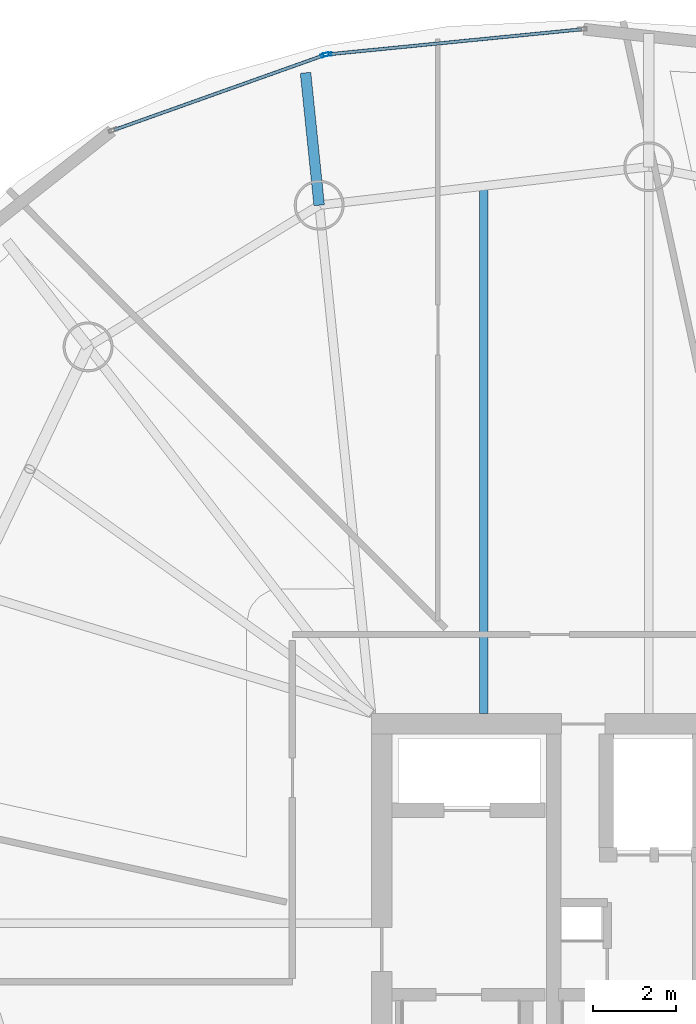
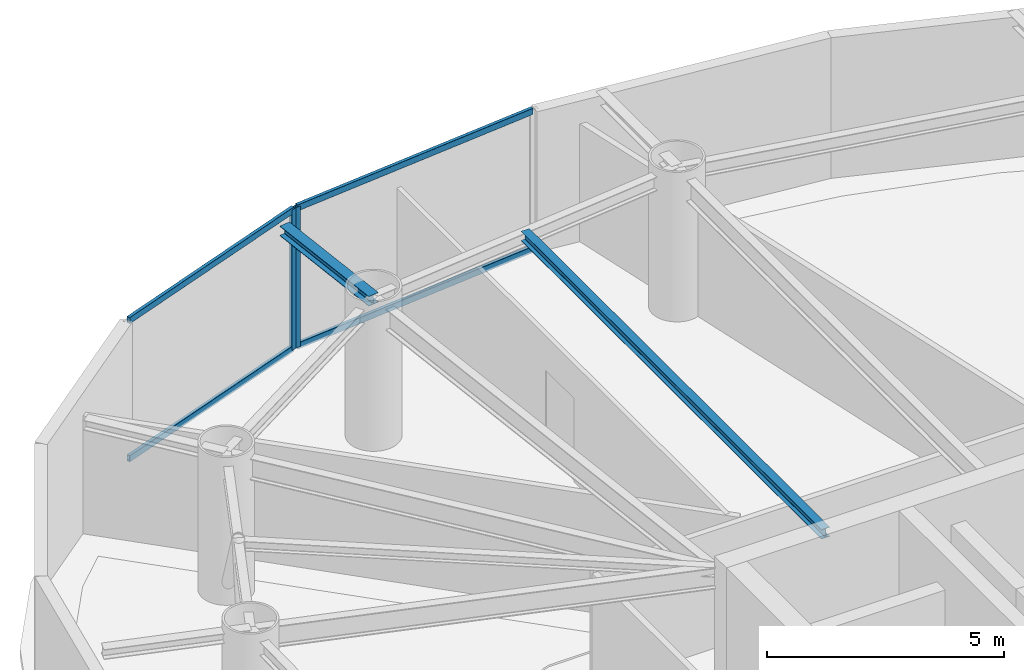
# One storey, part 12 of 23: 6 members, 2 beams, 2 elements without a shape of their own.
"""IFC4 building model written with IfcOpenShell, lengths in metres."""

from ifc_helpers import new_model, si_unit, direction, frame, origin, origin_2d, place, context, subcontext, project, spatial, hollow_rectangle, i_section, extrude, material, layer, layer_set, material_profile, profile_set, type_object, element, aggregate, save


model = new_model("IFC4")

# Units and contexts
model_context = context("Model", 3, precision=1e-05, world=origin(), true_north=direction((0.0, 1.0)))
body_context = subcontext(model_context, "Body", "Model", "MODEL_VIEW")
ifc_project = project(units=[si_unit("LENGTHUNIT", "METRE"), si_unit("AREAUNIT", "SQUARE_METRE"), si_unit("VOLUMEUNIT", "CUBIC_METRE"), si_unit("PLANEANGLEUNIT", "RADIAN"), si_unit("MASSUNIT", "GRAM", prefix="KILO")], contexts=[model_context])

# Site, building, storey
site_placement = place(None, origin())
site = spatial("IfcSite", under=ifc_project, at=site_placement, CompositionType="ELEMENT")
building_placement = place(site_placement, origin())
building = spatial("IfcBuilding", under=site, at=building_placement, Name="Bramvorn Convention Spire", CompositionType="ELEMENT")
storey_placement = place(building_placement, frame((0.0, 0.0, 194.300048828125)))
storey = spatial("IfcBuildingStorey", under=building, at=storey_placement, Name="L49", CompositionType="ELEMENT", Elevation=194.300048828125)

# Beams
ifc_material_1 = material(Name="Steel CSA G40.21 Grade 350 (350W)", Category="steel")
ifc_material_profile_1 = material_profile(ifc_material_1, i_section(OverallWidth=0.201904296875, OverallDepth=0.2470703125, WebThickness=0.00732421875, FlangeThickness=0.010986328125, FilletRadius=0.011962890625, at=origin_2d()))
ifc_profile_set_1 = profile_set([ifc_material_profile_1], Name="Steel CSA G40.21 Grade 350 (350W) - W250X49")
beam_type_1 = type_object("IfcBeamType", Name="BM-W250X49", PredefinedType="JOIST", material=ifc_profile_set_1)
beam_1_placement = place(storey_placement, frame((29.455810546875, 33.449951171875, 3.496337890625), z_axis=(0.0, 1.0, 0.0), x_axis=(-1.0, 0.0, 0.0)))
element("IfcBeam", 1, at=beam_1_placement, inside=storey, type_object=beam_type_1, Name="L49 composite floor joist 07", PredefinedType="JOIST", context=body_context, shape_type="SweptSolid", body=[
    extrude(i_section(OverallWidth=0.201904296875, OverallDepth=0.2470703125, WebThickness=0.00732421875, FlangeThickness=0.010986328125, FilletRadius=0.011962890625, at=origin_2d()), origin(), (0.0, 0.0, 1.0), 12.676025390625),
])
ifc_material_profile_2 = material_profile(ifc_material_1, i_section(OverallWidth=0.25390625, OverallDepth=0.2529296875, WebThickness=0.008544921875, FlangeThickness=0.01416015625, FilletRadius=0.011962890625, at=origin_2d()))
ifc_profile_set_2 = profile_set([ifc_material_profile_2], Name="Steel CSA G40.21 Grade 350 (350W) - W250X73")
beam_type_2 = type_object("IfcBeamType", Name="BM-W250X73", PredefinedType="BEAM", material=ifc_profile_set_2)
beam_2_placement = place(storey_placement, frame((25.49560546875, 45.663818359375, 3.493408203125), z_axis=(-0.10223018875, 0.994760769486, 0.0), x_axis=(-0.994760769486, -0.10223018875, 0.0)))
element("IfcBeam", 2, at=beam_2_placement, inside=storey, type_object=beam_type_2, Name="L49 slab-edge cantilever tip beam MC08", PredefinedType="BEAM", context=body_context, shape_type="SweptSolid", body=[
    extrude(i_section(OverallWidth=0.25390625, OverallDepth=0.2529296875, WebThickness=0.008544921875, FlangeThickness=0.01416015625, FilletRadius=0.011962890625, at=origin_2d()), origin(), (0.0, 0.0, 1.0), 3.2001953125),
])

# Curtain wall, member
ifc_material_2 = material(Name="Anodised Bronze Unitised Curtain Wall", Category="aluminium")
ifc_layer = layer(ifc_material_2, 0.179931640625)
ifc_layer_set = layer_set([ifc_layer], Name="Anodised Bronze Unitised Curtain Wall - CW-OFF-FRIT")
curtain_wall_type = type_object("IfcCurtainWallType", Name="CW-OFF-FRIT", PredefinedType="USERDEFINED", material=ifc_layer_set)
curtain_wall_1_placement = place(storey_placement, origin())
curtain_wall_1 = element("IfcCurtainWall", 3, at=curtain_wall_1_placement, inside=storey, type_object=curtain_wall_type, Name="L49 fritted glass curtain wall 10", ObjectType="UNITISED CURTAIN WALL", PredefinedType="USERDEFINED")
ifc_material_3 = material(Name="Anodised Bronze Aluminium 6063-T6", Category="aluminium")
ifc_material_profile_3 = material_profile(ifc_material_3, hollow_rectangle(XDim=0.080078125, YDim=0.199951171875, WallThickness=0.00390625, InnerFilletRadius=0.0009765625, OuterFilletRadius=0.00390625, at=origin_2d()))
ifc_profile_set_3 = profile_set([ifc_material_profile_3], Name="Anodised Bronze Aluminium 6063-T6 - CWM80X200")
member_type_1 = type_object("IfcMemberType", Name="CW-MUL-180", PredefinedType="MULLION", material=ifc_profile_set_3)
member_1_placement = place(storey_placement, frame((25.689453125, 49.288818359375, 0.0), z_axis=(0.0, 0.0, 1.0), x_axis=(-0.098099490805, 0.995176612418, 0.0)))
member_1 = element("IfcMember", 4, at=member_1_placement, type_object=member_type_1, Name="CW3 mullion 1", PredefinedType="MULLION", context=body_context, shape_type="SweptSolid", body=[
    extrude(hollow_rectangle(XDim=0.080078125, YDim=0.199951171875, WallThickness=0.00390625, InnerFilletRadius=0.0009765625, OuterFilletRadius=0.00390625, at=origin_2d()), origin(), (0.0, 0.0, 1.0), 3.619873046875),
])

curtain_wall_2_placement = place(storey_placement, origin())
curtain_wall_2 = element("IfcCurtainWall", 5, at=curtain_wall_2_placement, inside=storey, type_object=curtain_wall_type, Name="L49 fritted glass curtain wall 11", ObjectType="UNITISED CURTAIN WALL", PredefinedType="USERDEFINED")
member_2_placement = place(storey_placement, frame((25.63134765625, 49.275634765625, 0.0), z_axis=(0.0, 0.0, 1.0), x_axis=(-0.335377520257, 0.942083817347, 0.0)))
member_2 = element("IfcMember", 6, at=member_2_placement, type_object=member_type_1, Name="CW3 mullion 2", PredefinedType="MULLION", context=body_context, shape_type="SweptSolid", body=[
    extrude(hollow_rectangle(XDim=0.080078125, YDim=0.199951171875, WallThickness=0.00390625, InnerFilletRadius=0.0009765625, OuterFilletRadius=0.00390625, at=origin_2d()), origin(), (0.0, 0.0, 1.0), 3.619873046875),
])

# Member
ifc_material_profile_4 = material_profile(ifc_material_3, hollow_rectangle(XDim=0.080078125, YDim=0.159912109375, WallThickness=0.00390625, InnerFilletRadius=0.0009765625, OuterFilletRadius=0.00390625, at=origin_2d()))
ifc_profile_set_4 = profile_set([ifc_material_profile_4], Name="Anodised Bronze Aluminium 6063-T6 - CWT80X160")
member_type_2 = type_object("IfcMemberType", Name="CW-TRN-150", PredefinedType="USERDEFINED", material=ifc_profile_set_4)
member_3_placement = place(storey_placement, frame((25.719482421875, 49.291748046875, 0.030029296875), z_axis=(0.995179068146, 0.098074575315, 0.0), x_axis=(-0.098074575315, 0.995179068146, 0.0)))
member_3 = element("IfcMember", 7, at=member_3_placement, type_object=member_type_2, Name="CW3 transom 1.1", ObjectType="TRANSOM", PredefinedType="USERDEFINED", context=body_context, shape_type="SweptSolid", body=[
    extrude(hollow_rectangle(XDim=0.080078125, YDim=0.159912109375, WallThickness=0.00390625, InnerFilletRadius=0.0009765625, OuterFilletRadius=0.00390625, at=origin_2d()), origin(), (0.0, 0.0, 1.0), 6.1064453125),
])

member_4_placement = place(storey_placement, frame((25.719482421875, 49.291748046875, 3.58984375), z_axis=(0.995179068146, 0.098074575315, 0.0), x_axis=(-0.098074575315, 0.995179068146, 0.0)))
member_4 = element("IfcMember", 8, at=member_4_placement, type_object=member_type_2, Name="CW3 transom 1.2", ObjectType="TRANSOM", PredefinedType="USERDEFINED", context=body_context, shape_type="SweptSolid", body=[
    extrude(hollow_rectangle(XDim=0.080078125, YDim=0.159912109375, WallThickness=0.00390625, InnerFilletRadius=0.0009765625, OuterFilletRadius=0.00390625, at=origin_2d()), origin(), (0.0, 0.0, 1.0), 6.1064453125),
])

aggregate(curtain_wall_1, [member_1, member_3, member_4])

member_5_placement = place(storey_placement, frame((20.568115234375, 47.47314453125, 0.030029296875), z_axis=(0.942084531103, 0.335375515291, 0.0), x_axis=(-0.335375515291, 0.942084531103, 0.0)))
member_5 = element("IfcMember", 9, at=member_5_placement, type_object=member_type_2, Name="CW3 transom 1.1", ObjectType="TRANSOM", PredefinedType="USERDEFINED", context=body_context, shape_type="SweptSolid", body=[
    extrude(hollow_rectangle(XDim=0.080078125, YDim=0.159912109375, WallThickness=0.00390625, InnerFilletRadius=0.0009765625, OuterFilletRadius=0.00390625, at=origin_2d()), origin(), (0.0, 0.0, 1.0), 5.3447265625),
])

member_6_placement = place(storey_placement, frame((20.568115234375, 47.47314453125, 3.58984375), z_axis=(0.942084531103, 0.335375515291, 0.0), x_axis=(-0.335375515291, 0.942084531103, 0.0)))
member_6 = element("IfcMember", 10, at=member_6_placement, type_object=member_type_2, Name="CW3 transom 1.2", ObjectType="TRANSOM", PredefinedType="USERDEFINED", context=body_context, shape_type="SweptSolid", body=[
    extrude(hollow_rectangle(XDim=0.080078125, YDim=0.159912109375, WallThickness=0.00390625, InnerFilletRadius=0.0009765625, OuterFilletRadius=0.00390625, at=origin_2d()), origin(), (0.0, 0.0, 1.0), 5.3447265625),
])

aggregate(curtain_wall_2, [member_2, member_5, member_6])

save(model, "model.ifc")
